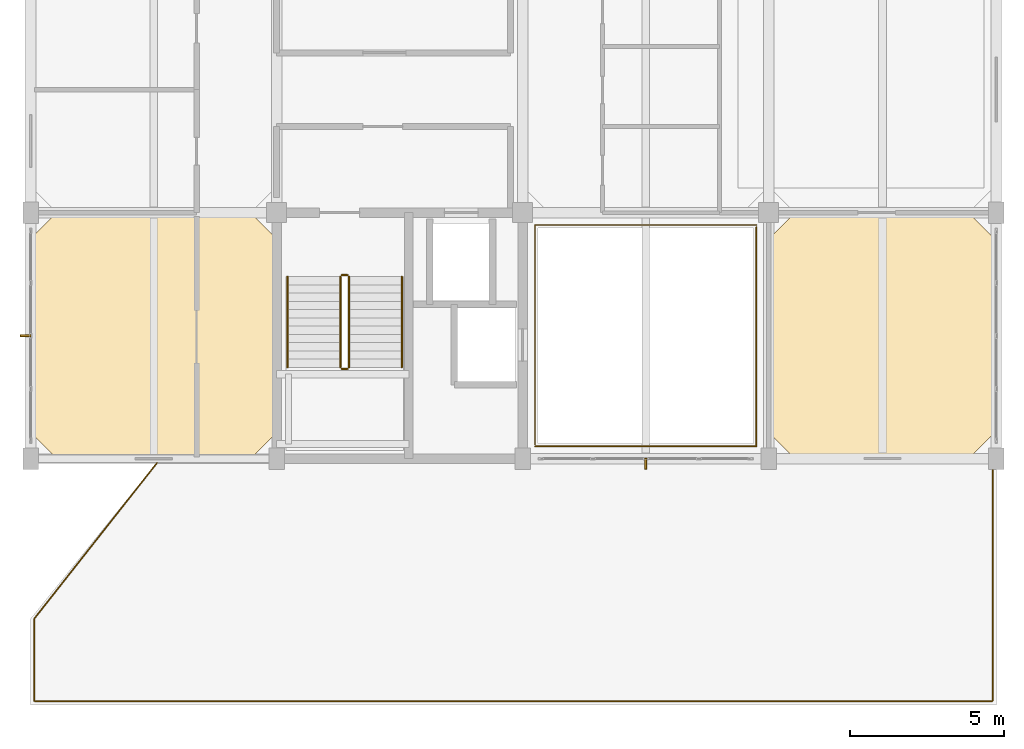
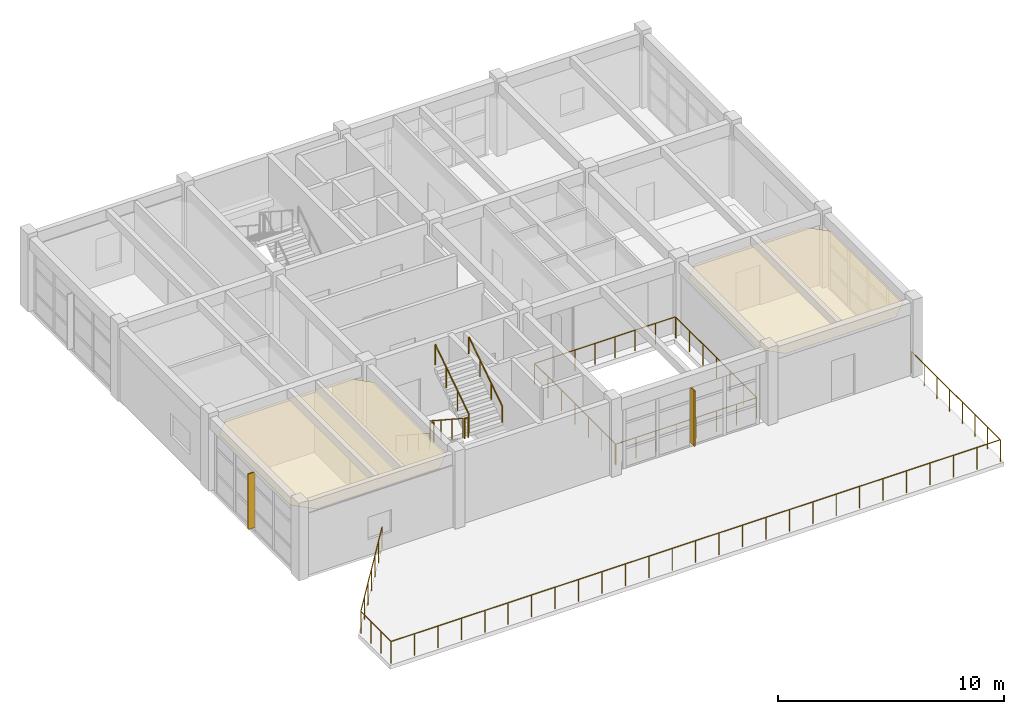
# One storey, part 19 of 20: 9 railings, 2 coverings, 2 shading devices.
"""IFC4 building model written with IfcOpenShell, lengths in metres."""

from ifc_helpers import new_model, si_unit, direction, frame, origin, origin_2d, place, context, subcontext, project, spatial, polyline, rectangle, circle, outline, extrude, material, layer, layer_set, type_object, element, save


model = new_model("IFC4")

# Units and contexts
model_context = context("Model", 3, precision=1e-05, world=origin(), true_north=direction((0.0, 1.0)))
body_context = subcontext(model_context, "Body", "Model", "MODEL_VIEW")
ifc_project = project(units=[si_unit("LENGTHUNIT", "METRE"), si_unit("AREAUNIT", "SQUARE_METRE"), si_unit("VOLUMEUNIT", "CUBIC_METRE"), si_unit("PLANEANGLEUNIT", "RADIAN"), si_unit("MASSUNIT", "GRAM", prefix="KILO")], contexts=[model_context])

# Site, building, storey
site_placement = place(None, origin())
site = spatial("IfcSite", under=ifc_project, at=site_placement, CompositionType="ELEMENT")
building_placement = place(site_placement, origin())
building = spatial("IfcBuilding", under=site, at=building_placement, Name="Canggui Botanical Conservatory", CompositionType="ELEMENT")
storey_placement = place(building_placement, frame((0.0, 0.0, 57.0)))
storey = spatial("IfcBuildingStorey", under=building, at=storey_placement, Name="L14", CompositionType="ELEMENT", Elevation=57.0)

# Coverings
ifc_material_1 = material(Name="Mineral Fibre Acoustic Board")
ifc_layer_1 = layer(ifc_material_1, 0.014892578125, Name="Mineral Fibre Acoustic Board")
ifc_layer_set_1 = layer_set([ifc_layer_1], Name="Mineral Fibre Acoustic Board")
covering_type_1 = type_object("IfcCoveringType", Name="COV-CEIL-15", PredefinedType="CEILING", material=ifc_layer_set_1)
covering_1_placement = place(storey_placement, frame((0.0, 0.0, 3.294921875)))
element("IfcCovering", 1, at=covering_1_placement, inside=storey, type_object=covering_type_1, Name="Suspended Acoustic Ceiling L14-170-42", PredefinedType="CEILING", context=body_context, shape_type="SweptSolid", body=[
    extrude(outline(polyline([(170.85009765625, 42.0), (176.5, 42.0), (177.35009765625, 42.85009765625), (177.35009765625, 49.14990234375), (176.5, 50.0), (170.85009765625, 50.0), (170.0, 49.14990234375), (170.0, 42.85009765625), (170.85009765625, 42.0)])), origin(), (0.0, 0.0, 1.0), 0.01513671875),
])
ifc_material_2 = material(Name="Perforated Gypsum Acoustic Panel")
ifc_layer_2 = layer(ifc_material_2, 0.02001953125, Name="Perforated Gypsum Acoustic Panel")
ifc_layer_set_2 = layer_set([ifc_layer_2], Name="Perforated Gypsum Acoustic Panel")
covering_type_2 = type_object("IfcCoveringType", Name="COV-CEIL-20", PredefinedType="CEILING", material=ifc_layer_set_2)
covering_2_placement = place(storey_placement, frame((0.0, 0.0, 3.2900390625)))
element("IfcCovering", 2, at=covering_2_placement, inside=storey, type_object=covering_type_2, Name="Suspended Acoustic Ceiling L14-146-42", PredefinedType="CEILING", context=body_context, shape_type="SweptSolid", body=[
    extrude(outline(polyline([(146.85009765625, 42.0), (153.14990234375, 42.0), (154.0, 42.85009765625), (154.0, 49.14990234375), (153.14990234375, 50.0), (146.85009765625, 50.0), (146.0, 49.14990234375), (146.0, 42.85009765625), (146.85009765625, 42.0)])), origin(), (0.0, 0.0, 1.0), 0.02001953125),
])

# Railings
ifc_material_3 = material(Name="Stainless Steel 304", Category="steel")
railing_type_1 = type_object("IfcRailingType", Name="RAIL-GUARD-1100", PredefinedType="BALUSTRADE", material=ifc_material_3)
railing_1_placement = place(storey_placement, frame((156.070068359375, 47.919921875, 0.175048828125)))
element("IfcRailing", 3, at=railing_1_placement, inside=storey, type_object=railing_type_1, Name="L14 ST-T1 stair guard 1", PredefinedType="BALUSTRADE", context=body_context, shape_type="SweptSolid", body=[
    extrude(circle(Radius=0.02392578125, at=origin_2d()), frame((0.0, 0.0, 1.076171875), z_axis=(0.0, -0.837293178872, 0.54675417933), x_axis=(1.0, 0.0, 0.0)), (0.0, 0.0, 1.0), 3.520751953125),
    extrude(circle(Radius=0.02099609375, at=origin_2d()), origin(), (0.0, 0.0, 1.0), 1.052001953125),
    extrude(circle(Radius=0.02099609375, at=origin_2d()), frame((0.0, -0.982666015625, 0.6416015625)), (0.0, 0.0, 1.0), 1.052001953125),
    extrude(circle(Radius=0.02099609375, at=origin_2d()), frame((0.0, -1.96533203125, 1.283447265625)), (0.0, 0.0, 1.0), 1.052001953125),
    extrude(circle(Radius=0.02099609375, at=origin_2d()), frame((0.0, -2.947998046875, 1.925048828125)), (0.0, 0.0, 1.0), 1.052001953125),
])
railing_2_placement = place(storey_placement, frame((156.1201171875, 44.922119140625, 2.10009765625)))
element("IfcRailing", 4, at=railing_2_placement, inside=storey, type_object=railing_type_1, Name="L14 ST-T1 stair guard 2", PredefinedType="BALUSTRADE", context=body_context, shape_type="SweptSolid", body=[
    extrude(circle(Radius=0.02392578125, at=origin_2d()), frame((0.0, 0.0, 1.076171875), z_axis=(1.0, 0.0, 0.0), x_axis=(0.0, 1.0, 0.0)), (0.0, 0.0, 1.0), 0.179931640625),
    extrude(circle(Radius=0.02099609375, at=origin_2d()), origin(), (0.0, 0.0, 1.0), 1.052001953125),
    extrude(circle(Radius=0.02099609375, at=origin_2d()), frame((0.179931640625, 0.0, 0.0)), (0.0, 0.0, 1.0), 1.052001953125),
])
railing_3_placement = place(storey_placement, frame((156.35009765625, 44.971923828125, 2.27490234375)))
element("IfcRailing", 5, at=railing_3_placement, inside=storey, type_object=railing_type_1, Name="L14 ST-T1 stair guard 3", PredefinedType="BALUSTRADE", context=body_context, shape_type="SweptSolid", body=[
    extrude(circle(Radius=0.02392578125, at=origin_2d()), frame((0.0, 0.0, 1.076171875), z_axis=(0.0, 0.837293178872, 0.54675417933), x_axis=(-1.0, 0.0, 0.0)), (0.0, 0.0, 1.0), 3.520751953125),
    extrude(circle(Radius=0.02099609375, at=origin_2d()), origin(), (0.0, 0.0, 1.0), 1.052001953125),
    extrude(circle(Radius=0.02099609375, at=origin_2d()), frame((0.0, 0.982666015625, 0.6416015625)), (0.0, 0.0, 1.0), 1.052001953125),
    extrude(circle(Radius=0.02099609375, at=origin_2d()), frame((0.0, 1.96533203125, 1.283447265625)), (0.0, 0.0, 1.0), 1.052001953125),
    extrude(circle(Radius=0.02099609375, at=origin_2d()), frame((0.0, 2.947998046875, 1.925048828125)), (0.0, 0.0, 1.0), 1.052001953125),
])
railing_4_placement = place(storey_placement, frame((156.1201171875, 47.969970703125, 0.0)))
element("IfcRailing", 6, at=railing_4_placement, inside=storey, type_object=railing_type_1, Name="L14 ST-T1 stair guard 4", PredefinedType="BALUSTRADE", context=body_context, shape_type="SweptSolid", body=[
    extrude(circle(Radius=0.02392578125, at=origin_2d()), frame((0.0, 0.0, 1.076171875), z_axis=(1.0, 0.0, 0.0), x_axis=(0.0, 1.0, 0.0)), (0.0, 0.0, 1.0), 0.179931640625),
    extrude(circle(Radius=0.02099609375, at=origin_2d()), origin(), (0.0, 0.0, 1.0), 1.052001953125),
    extrude(circle(Radius=0.02099609375, at=origin_2d()), frame((0.179931640625, 0.0, 0.0)), (0.0, 0.0, 1.0), 1.052001953125),
])
railing_type_2 = type_object("IfcRailingType", Name="RAIL-HAND-900", PredefinedType="HANDRAIL", material=ifc_material_3)
railing_5_placement = place(storey_placement, frame((154.35009765625, 47.919921875, 0.175048828125)))
element("IfcRailing", 7, at=railing_5_placement, inside=storey, type_object=railing_type_2, Name="L14 ST-T1 stair handrail 1", PredefinedType="HANDRAIL", context=body_context, shape_type="SweptSolid", body=[
    extrude(circle(Radius=0.02392578125, at=origin_2d()), frame((0.0, 0.0, 0.8759765625), z_axis=(0.0, -0.837293178872, 0.54675417933), x_axis=(1.0, 0.0, 0.0)), (0.0, 0.0, 1.0), 3.520751953125),
    extrude(circle(Radius=0.02099609375, at=origin_2d()), origin(), (0.0, 0.0, 1.0), 0.851806640625),
    extrude(circle(Radius=0.02099609375, at=origin_2d()), frame((0.0, -0.982666015625, 0.6416015625)), (0.0, 0.0, 1.0), 0.851806640625),
    extrude(circle(Radius=0.02099609375, at=origin_2d()), frame((0.0, -1.96533203125, 1.283447265625)), (0.0, 0.0, 1.0), 0.851806640625),
    extrude(circle(Radius=0.02099609375, at=origin_2d()), frame((0.0, -2.947998046875, 1.925048828125)), (0.0, 0.0, 1.0), 0.851806640625),
])
railing_6_placement = place(storey_placement, frame((158.070068359375, 44.971923828125, 2.27490234375)))
element("IfcRailing", 8, at=railing_6_placement, inside=storey, type_object=railing_type_2, Name="L14 ST-T1 stair handrail 2", PredefinedType="HANDRAIL", context=body_context, shape_type="SweptSolid", body=[
    extrude(circle(Radius=0.02392578125, at=origin_2d()), frame((0.0, 0.0, 0.8759765625), z_axis=(0.0, 0.837293178872, 0.54675417933), x_axis=(-1.0, 0.0, 0.0)), (0.0, 0.0, 1.0), 3.520751953125),
    extrude(circle(Radius=0.02099609375, at=origin_2d()), origin(), (0.0, 0.0, 1.0), 0.851806640625),
    extrude(circle(Radius=0.02099609375, at=origin_2d()), frame((0.0, 0.982666015625, 0.6416015625)), (0.0, 0.0, 1.0), 0.851806640625),
    extrude(circle(Radius=0.02099609375, at=origin_2d()), frame((0.0, 1.96533203125, 1.283447265625)), (0.0, 0.0, 1.0), 0.851806640625),
    extrude(circle(Radius=0.02099609375, at=origin_2d()), frame((0.0, 2.947998046875, 1.925048828125)), (0.0, 0.0, 1.0), 0.851806640625),
])
ifc_material_4 = material(Name="Laminated Safety Glass", Category="glass")
railing_type_3 = type_object("IfcRailingType", Name="RAIL-TERR-1200", PredefinedType="BALUSTRADE", material=ifc_material_4)
railing_7_placement = place(storey_placement, frame((150.199951171875, 41.97998046875, 0.0)))
element("IfcRailing", 9, at=railing_7_placement, inside=storey, type_object=railing_type_3, Name="Sky Terrace Laminated Glass Balustrade L14", PredefinedType="BALUSTRADE", context=body_context, shape_type="SweptSolid", body=[
    extrude(circle(Radius=0.02392578125, at=origin_2d()), frame((0.0, 0.0, 1.17578125), z_axis=(-0.61874830106, -0.785589294692, 0.0), x_axis=(0.785589294692, -0.61874830106, 0.0)), (0.0, 0.0, 1.0), 6.59375),
    extrude(circle(Radius=0.02392578125, at=origin_2d()), frame((-4.079833984375, -5.179931640625, 1.17578125), z_axis=(0.0, -1.0, 0.0), x_axis=(1.0, 0.0, 0.0)), (0.0, 0.0, 1.0), 2.679931640625),
    extrude(circle(Radius=0.02392578125, at=origin_2d()), frame((-4.079833984375, -7.85986328125, 1.17578125), z_axis=(1.0, 0.0, 0.0), x_axis=(0.0, 1.0, 0.0)), (0.0, 0.0, 1.0), 31.159912109375),
    extrude(circle(Radius=0.02392578125, at=origin_2d()), frame((27.080078125, -7.85986328125, 1.17578125), z_axis=(0.0, 1.0, 0.0), x_axis=(-1.0, 0.0, 0.0)), (0.0, 0.0, 1.0), 7.85986328125),
    extrude(circle(Radius=0.02099609375, at=origin_2d()), origin(), (0.0, 0.0, 1.0), 1.15185546875),
    extrude(circle(Radius=0.02099609375, at=origin_2d()), frame((-0.679931640625, -0.86328125, 0.0)), (0.0, 0.0, 1.0), 1.15185546875),
    extrude(circle(Radius=0.02099609375, at=origin_2d()), frame((-1.35986328125, -1.7265625, 0.0)), (0.0, 0.0, 1.0), 1.15185546875),
    extrude(circle(Radius=0.02099609375, at=origin_2d()), frame((-2.0400390625, -2.58984375, 0.0)), (0.0, 0.0, 1.0), 1.15185546875),
    extrude(circle(Radius=0.02099609375, at=origin_2d()), frame((-2.719970703125, -3.453369140625, 0.0)), (0.0, 0.0, 1.0), 1.15185546875),
    extrude(circle(Radius=0.02099609375, at=origin_2d()), frame((-3.39990234375, -4.316650390625, 0.0)), (0.0, 0.0, 1.0), 1.15185546875),
    extrude(circle(Radius=0.02099609375, at=origin_2d()), frame((-4.079833984375, -5.179931640625, 0.0)), (0.0, 0.0, 1.0), 1.15185546875),
    extrude(circle(Radius=0.02099609375, at=origin_2d()), frame((-4.079833984375, -6.0732421875, 0.0)), (0.0, 0.0, 1.0), 1.15185546875),
    extrude(circle(Radius=0.02099609375, at=origin_2d()), frame((-4.079833984375, -6.966552734375, 0.0)), (0.0, 0.0, 1.0), 1.15185546875),
    extrude(circle(Radius=0.02099609375, at=origin_2d()), frame((-4.079833984375, -7.85986328125, 0.0)), (0.0, 0.0, 1.0), 1.15185546875),
    extrude(circle(Radius=0.02099609375, at=origin_2d()), frame((-2.88134765625, -7.85986328125, 0.0)), (0.0, 0.0, 1.0), 1.15185546875),
    extrude(circle(Radius=0.02099609375, at=origin_2d()), frame((-1.682861328125, -7.85986328125, 0.0)), (0.0, 0.0, 1.0), 1.15185546875),
    extrude(circle(Radius=0.02099609375, at=origin_2d()), frame((-0.484375, -7.85986328125, 0.0)), (0.0, 0.0, 1.0), 1.15185546875),
    extrude(circle(Radius=0.02099609375, at=origin_2d()), frame((0.714111328125, -7.85986328125, 0.0)), (0.0, 0.0, 1.0), 1.15185546875),
    extrude(circle(Radius=0.02099609375, at=origin_2d()), frame((1.912353515625, -7.85986328125, 0.0)), (0.0, 0.0, 1.0), 1.15185546875),
    extrude(circle(Radius=0.02099609375, at=origin_2d()), frame((3.11083984375, -7.85986328125, 0.0)), (0.0, 0.0, 1.0), 1.15185546875),
    extrude(circle(Radius=0.02099609375, at=origin_2d()), frame((4.309326171875, -7.85986328125, 0.0)), (0.0, 0.0, 1.0), 1.15185546875),
    extrude(circle(Radius=0.02099609375, at=origin_2d()), frame((5.5078125, -7.85986328125, 0.0)), (0.0, 0.0, 1.0), 1.15185546875),
    extrude(circle(Radius=0.02099609375, at=origin_2d()), frame((6.706298828125, -7.85986328125, 0.0)), (0.0, 0.0, 1.0), 1.15185546875),
    extrude(circle(Radius=0.02099609375, at=origin_2d()), frame((7.90478515625, -7.85986328125, 0.0)), (0.0, 0.0, 1.0), 1.15185546875),
    extrude(circle(Radius=0.02099609375, at=origin_2d()), frame((9.103271484375, -7.85986328125, 0.0)), (0.0, 0.0, 1.0), 1.15185546875),
    extrude(circle(Radius=0.02099609375, at=origin_2d()), frame((10.3017578125, -7.85986328125, 0.0)), (0.0, 0.0, 1.0), 1.15185546875),
    extrude(circle(Radius=0.02099609375, at=origin_2d()), frame((11.5, -7.85986328125, 0.0)), (0.0, 0.0, 1.0), 1.15185546875),
    extrude(circle(Radius=0.02099609375, at=origin_2d()), frame((12.698486328125, -7.85986328125, 0.0)), (0.0, 0.0, 1.0), 1.15185546875),
    extrude(circle(Radius=0.02099609375, at=origin_2d()), frame((13.89697265625, -7.85986328125, 0.0)), (0.0, 0.0, 1.0), 1.15185546875),
    extrude(circle(Radius=0.02099609375, at=origin_2d()), frame((15.095458984375, -7.85986328125, 0.0)), (0.0, 0.0, 1.0), 1.15185546875),
    extrude(circle(Radius=0.02099609375, at=origin_2d()), frame((16.2939453125, -7.85986328125, 0.0)), (0.0, 0.0, 1.0), 1.15185546875),
    extrude(circle(Radius=0.02099609375, at=origin_2d()), frame((17.492431640625, -7.85986328125, 0.0)), (0.0, 0.0, 1.0), 1.15185546875),
    extrude(circle(Radius=0.02099609375, at=origin_2d()), frame((18.69091796875, -7.85986328125, 0.0)), (0.0, 0.0, 1.0), 1.15185546875),
    extrude(circle(Radius=0.02099609375, at=origin_2d()), frame((19.889404296875, -7.85986328125, 0.0)), (0.0, 0.0, 1.0), 1.15185546875),
    extrude(circle(Radius=0.02099609375, at=origin_2d()), frame((21.087890625, -7.85986328125, 0.0)), (0.0, 0.0, 1.0), 1.15185546875),
    extrude(circle(Radius=0.02099609375, at=origin_2d()), frame((22.2861328125, -7.85986328125, 0.0)), (0.0, 0.0, 1.0), 1.15185546875),
    extrude(circle(Radius=0.02099609375, at=origin_2d()), frame((23.484619140625, -7.85986328125, 0.0)), (0.0, 0.0, 1.0), 1.15185546875),
    extrude(circle(Radius=0.02099609375, at=origin_2d()), frame((24.68310546875, -7.85986328125, 0.0)), (0.0, 0.0, 1.0), 1.15185546875),
    extrude(circle(Radius=0.02099609375, at=origin_2d()), frame((25.881591796875, -7.85986328125, 0.0)), (0.0, 0.0, 1.0), 1.15185546875),
    extrude(circle(Radius=0.02099609375, at=origin_2d()), frame((27.080078125, -7.85986328125, 0.0)), (0.0, 0.0, 1.0), 1.15185546875),
    extrude(circle(Radius=0.02099609375, at=origin_2d()), frame((27.080078125, -6.737060546875, 0.0)), (0.0, 0.0, 1.0), 1.15185546875),
    extrude(circle(Radius=0.02099609375, at=origin_2d()), frame((27.080078125, -5.6142578125, 0.0)), (0.0, 0.0, 1.0), 1.15185546875),
    extrude(circle(Radius=0.02099609375, at=origin_2d()), frame((27.080078125, -4.491455078125, 0.0)), (0.0, 0.0, 1.0), 1.15185546875),
    extrude(circle(Radius=0.02099609375, at=origin_2d()), frame((27.080078125, -3.368408203125, 0.0)), (0.0, 0.0, 1.0), 1.15185546875),
    extrude(circle(Radius=0.02099609375, at=origin_2d()), frame((27.080078125, -2.24560546875, 0.0)), (0.0, 0.0, 1.0), 1.15185546875),
    extrude(circle(Radius=0.02099609375, at=origin_2d()), frame((27.080078125, -1.122802734375, 0.0)), (0.0, 0.0, 1.0), 1.15185546875),
    extrude(circle(Radius=0.02099609375, at=origin_2d()), frame((27.080078125, 0.0, 0.0)), (0.0, 0.0, 1.0), 1.15185546875),
])
railing_type_4 = type_object("IfcRailingType", Name="RAIL-VOID-1150", PredefinedType="BALUSTRADE", material=ifc_material_4)
railing_8_placement = place(storey_placement, frame((162.39990234375, 42.39990234375, 0.0)))
element("IfcRailing", 10, at=railing_8_placement, inside=storey, type_object=railing_type_4, Name="Conservation Genetics L14 Overlook Balustrade Part A", PredefinedType="BALUSTRADE", context=body_context, shape_type="SweptSolid", body=[
    extrude(circle(Radius=0.02392578125, at=origin_2d()), frame((0.0, 0.0, 1.1259765625), z_axis=(1.0, 0.0, 0.0), x_axis=(0.0, 1.0, 0.0)), (0.0, 0.0, 1.0), 7.2001953125),
    extrude(circle(Radius=0.02392578125, at=origin_2d()), frame((7.2001953125, 0.0, 1.1259765625), z_axis=(0.0, 1.0, 0.0), x_axis=(-1.0, 0.0, 0.0)), (0.0, 0.0, 1.0), 7.135009765625),
    extrude(circle(Radius=0.02099609375, at=origin_2d()), origin(), (0.0, 0.0, 1.0), 1.101806640625),
    extrude(circle(Radius=0.02099609375, at=origin_2d()), frame((1.028564453125, 0.0, 0.0)), (0.0, 0.0, 1.0), 1.101806640625),
    extrude(circle(Radius=0.02099609375, at=origin_2d()), frame((2.05712890625, 0.0, 0.0)), (0.0, 0.0, 1.0), 1.101806640625),
    extrude(circle(Radius=0.02099609375, at=origin_2d()), frame((3.085693359375, 0.0, 0.0)), (0.0, 0.0, 1.0), 1.101806640625),
    extrude(circle(Radius=0.02099609375, at=origin_2d()), frame((4.114501953125, 0.0, 0.0)), (0.0, 0.0, 1.0), 1.101806640625),
    extrude(circle(Radius=0.02099609375, at=origin_2d()), frame((5.14306640625, 0.0, 0.0)), (0.0, 0.0, 1.0), 1.101806640625),
    extrude(circle(Radius=0.02099609375, at=origin_2d()), frame((6.171630859375, 0.0, 0.0)), (0.0, 0.0, 1.0), 1.101806640625),
    extrude(circle(Radius=0.02099609375, at=origin_2d()), frame((7.2001953125, 0.0, 0.0)), (0.0, 0.0, 1.0), 1.101806640625),
    extrude(circle(Radius=0.02099609375, at=origin_2d()), frame((7.2001953125, 1.189208984375, 0.0)), (0.0, 0.0, 1.0), 1.101806640625),
    extrude(circle(Radius=0.02099609375, at=origin_2d()), frame((7.2001953125, 2.37841796875, 0.0)), (0.0, 0.0, 1.0), 1.101806640625),
    extrude(circle(Radius=0.02099609375, at=origin_2d()), frame((7.2001953125, 3.5673828125, 0.0)), (0.0, 0.0, 1.0), 1.101806640625),
    extrude(circle(Radius=0.02099609375, at=origin_2d()), frame((7.2001953125, 4.756591796875, 0.0)), (0.0, 0.0, 1.0), 1.101806640625),
    extrude(circle(Radius=0.02099609375, at=origin_2d()), frame((7.2001953125, 5.94580078125, 0.0)), (0.0, 0.0, 1.0), 1.101806640625),
    extrude(circle(Radius=0.02099609375, at=origin_2d()), frame((7.2001953125, 7.135009765625, 0.0)), (0.0, 0.0, 1.0), 1.101806640625),
])
railing_9_placement = place(storey_placement, frame((169.60009765625, 49.60009765625, 0.0)))
element("IfcRailing", 11, at=railing_9_placement, inside=storey, type_object=railing_type_4, Name="Conservation Genetics L14 Overlook Balustrade Part B", PredefinedType="BALUSTRADE", context=body_context, shape_type="SweptSolid", body=[
    extrude(circle(Radius=0.02392578125, at=origin_2d()), frame((0.0, 0.0, 1.1259765625), z_axis=(-1.0, 0.0, 0.0), x_axis=(0.0, -1.0, 0.0)), (0.0, 0.0, 1.0), 7.2001953125),
    extrude(circle(Radius=0.02392578125, at=origin_2d()), frame((-7.2001953125, 0.0, 1.1259765625), z_axis=(0.0, -1.0, 0.0), x_axis=(1.0, 0.0, 0.0)), (0.0, 0.0, 1.0), 7.135009765625),
    extrude(circle(Radius=0.02099609375, at=origin_2d()), origin(), (0.0, 0.0, 1.0), 1.101806640625),
    extrude(circle(Radius=0.02099609375, at=origin_2d()), frame((-1.028564453125, 0.0, 0.0)), (0.0, 0.0, 1.0), 1.101806640625),
    extrude(circle(Radius=0.02099609375, at=origin_2d()), frame((-2.05712890625, 0.0, 0.0)), (0.0, 0.0, 1.0), 1.101806640625),
    extrude(circle(Radius=0.02099609375, at=origin_2d()), frame((-3.085693359375, 0.0, 0.0)), (0.0, 0.0, 1.0), 1.101806640625),
    extrude(circle(Radius=0.02099609375, at=origin_2d()), frame((-4.114501953125, 0.0, 0.0)), (0.0, 0.0, 1.0), 1.101806640625),
    extrude(circle(Radius=0.02099609375, at=origin_2d()), frame((-5.14306640625, 0.0, 0.0)), (0.0, 0.0, 1.0), 1.101806640625),
    extrude(circle(Radius=0.02099609375, at=origin_2d()), frame((-6.171630859375, 0.0, 0.0)), (0.0, 0.0, 1.0), 1.101806640625),
    extrude(circle(Radius=0.02099609375, at=origin_2d()), frame((-7.2001953125, 0.0, 0.0)), (0.0, 0.0, 1.0), 1.101806640625),
    extrude(circle(Radius=0.02099609375, at=origin_2d()), frame((-7.2001953125, -1.189208984375, 0.0)), (0.0, 0.0, 1.0), 1.101806640625),
    extrude(circle(Radius=0.02099609375, at=origin_2d()), frame((-7.2001953125, -2.37841796875, 0.0)), (0.0, 0.0, 1.0), 1.101806640625),
    extrude(circle(Radius=0.02099609375, at=origin_2d()), frame((-7.2001953125, -3.5673828125, 0.0)), (0.0, 0.0, 1.0), 1.101806640625),
    extrude(circle(Radius=0.02099609375, at=origin_2d()), frame((-7.2001953125, -4.756591796875, 0.0)), (0.0, 0.0, 1.0), 1.101806640625),
    extrude(circle(Radius=0.02099609375, at=origin_2d()), frame((-7.2001953125, -5.94580078125, 0.0)), (0.0, 0.0, 1.0), 1.101806640625),
    extrude(circle(Radius=0.02099609375, at=origin_2d()), frame((-7.2001953125, -7.135009765625, 0.0)), (0.0, 0.0, 1.0), 1.101806640625),
])

# Shading devices
ifc_material_5 = material(Name="Anodised Aluminium", Category="aluminium")
shading_device_type = type_object("IfcShadingDeviceType", Name="SHD-FIN02", PredefinedType="AWNING", material=ifc_material_5)
for number, where, z_axis, x_axis, name in (
    (12, (166.0, 41.8349609375, 0.199951171875), (0.0, 0.0, 1.0), (-1.0, 0.0, 0.0), "Solar Shading Fin CW-TWR-L14-02"),
    (13, (145.8349609375, 46.0, 0.199951171875), (0.0, 0.0, 1.0), (0.0, 1.0, 0.0), "Solar Shading Fin CW-TWR-L14-04"),
):
    element("IfcShadingDevice", number, at=place(storey_placement, frame(where, z_axis=z_axis, x_axis=x_axis)), inside=storey, type_object=shading_device_type, Name=name, PredefinedType="AWNING", context=body_context, shape_type="SweptSolid", body=[
        extrude(rectangle(XDim=0.06005859375, YDim=0.360107421875, at=origin_2d()), origin(), (0.0, 0.0, 1.0), 3.0),
    ])

save(model, "model.ifc")
